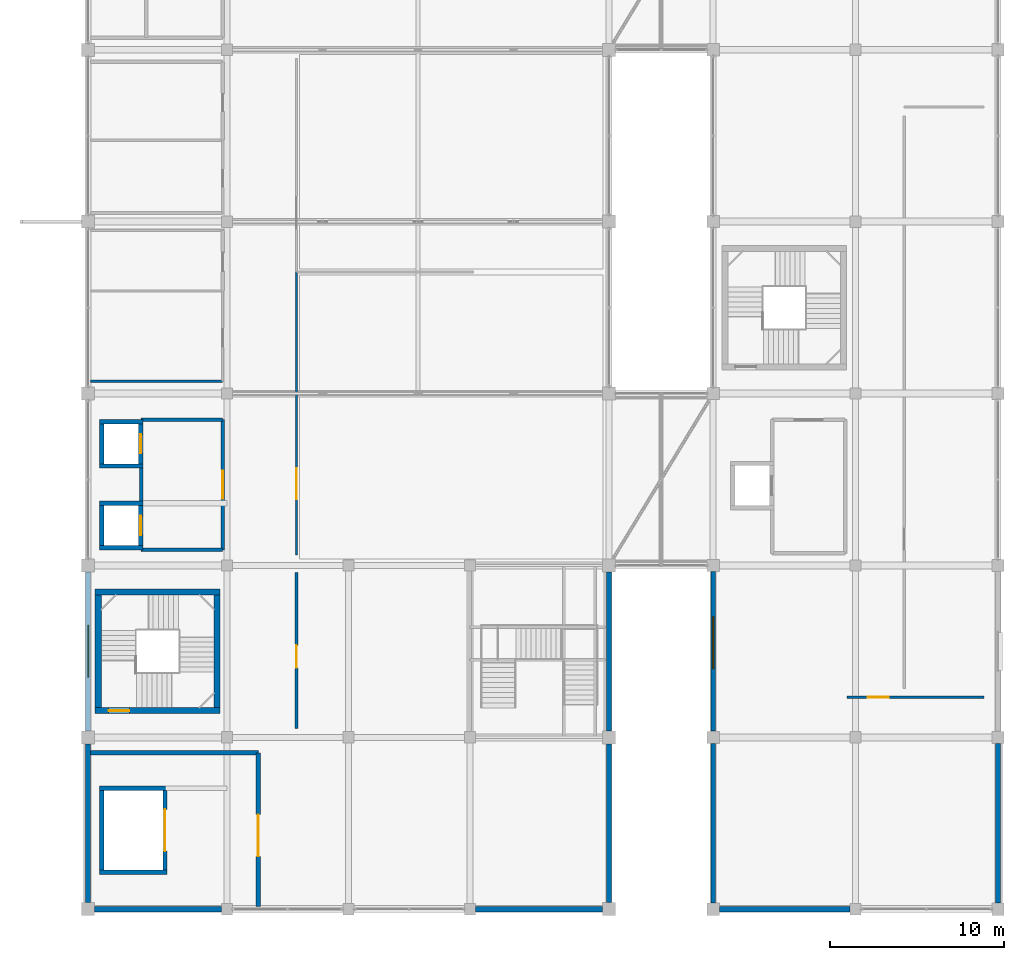
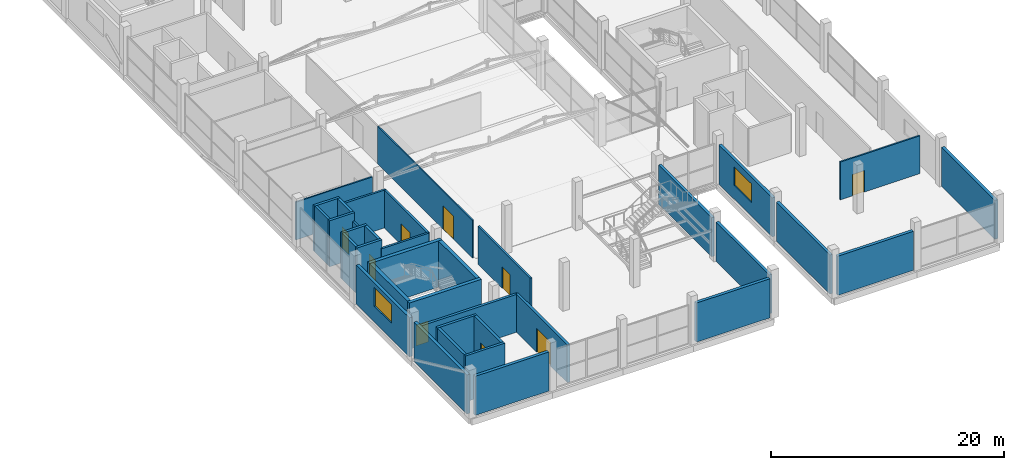
# One storey, part 53 of 67: 36 walls, 9 doors, 2 windows, 11 openings.
"""IFC4 building model written with IfcOpenShell, lengths in metres."""

from ifc_helpers import new_model, si_unit, direction, frame, frame_2d, origin, place, context, subcontext, project, spatial, rectangle, extrude, material, layer, layer_set, type_object, element, fill, save


model = new_model("IFC4")

# Units and contexts
model_context = context("Model", 3, precision=1e-05, world=origin(), true_north=direction((0.0, 1.0)))
body_context = subcontext(model_context, "Body", "Model", "MODEL_VIEW")
ifc_project = project(units=[si_unit("LENGTHUNIT", "METRE"), si_unit("AREAUNIT", "SQUARE_METRE"), si_unit("VOLUMEUNIT", "CUBIC_METRE"), si_unit("PLANEANGLEUNIT", "RADIAN"), si_unit("MASSUNIT", "GRAM", prefix="KILO")], contexts=[model_context])

# Site, building, storey
site_placement = place(None, origin())
site = spatial("IfcSite", under=ifc_project, at=site_placement, CompositionType="ELEMENT")
building_placement = place(site_placement, origin())
building = spatial("IfcBuilding", under=site, at=building_placement, Name="Sillaruma Civic Art Gallery", CompositionType="ELEMENT")
storey_placement = place(building_placement, frame((0.0, 0.0, 46.919921875)))
storey = spatial("IfcBuildingStorey", under=building, at=storey_placement, Name="L09", CompositionType="ELEMENT", Elevation=46.919921875)

# Wall, opening, door
ifc_material_1 = material(Name="Concrete H40 (40 MPa)", Category="concrete")
ifc_layer_1 = layer(ifc_material_1, 0.35009765625, Name="Concrete H40 (40 MPa)")
ifc_layer_set_1 = layer_set([ifc_layer_1], Name="Concrete H40 (40 MPa)")
wall_type_1 = type_object("IfcWallType", Name="WAL-CORE-350", PredefinedType="SHEAR", material=ifc_layer_set_1)
wall_1_placement = place(storey_placement, frame((62.409912109375, 31.235107421875, 0.0), z_axis=(0.0, 0.0, 1.0), x_axis=(1.0, 0.0, 0.0)))
wall_1 = element("IfcWall", 1, at=wall_1_placement, inside=storey, type_object=wall_type_1, Name="Stair Core Shear Wall W-CORE-350 (ST-03:L09:S)", PredefinedType="SHEAR", context=body_context, shape_type="SweptSolid", body=[
    extrude(rectangle(XDim=7.18017578125, YDim=0.35009765625, at=frame_2d((3.590087890625, 0.0))), origin(), (0.0, 0.0, 1.0), 4.85009765625),
])
opening_1_placement = place(wall_1_placement, frame((0.77001953125, 0.0, 0.0)))
opening_1 = element("IfcOpeningElement", 2, at=opening_1_placement, cuts=wall_1, Name="Opening D-STAIR", PredefinedType="OPENING", context=body_context, shape_type="SweptSolid", body=[
    extrude(rectangle(XDim=1.199951171875, YDim=2.199951171875, at=frame_2d((0.60009765625, 1.10009765625))), frame((0.0, 0.18505859375, 0.0), z_axis=(0.0, -1.0, 0.0), x_axis=(1.0, 0.0, 0.0)), (0.0, 0.0, 1.0), 0.3701171875),
])
ifc_material_2 = material(Name="Galvanised Steel ASTM A653 Gr.50", Category="steel")
door_type_1 = type_object("IfcDoorType", Name="DOR-STAIR-120", OperationType="NOTDEFINED", PredefinedType="DOOR", material=ifc_material_2)
door_1_placement = place(opening_1_placement, origin())
door_1 = element("IfcDoor", 3, at=door_1_placement, inside=storey, type_object=door_type_1, Name="Protected Stair Fire Door (ST-03:L09)", OperationType="SINGLE_SWING_LEFT", OverallHeight=2.199951171875, OverallWidth=1.199951171875, PredefinedType="DOOR", context=body_context, shape_type="SweptSolid", body=[
    extrude(rectangle(XDim=1.199951171875, YDim=2.199951171875, at=frame_2d((0.60009765625, 1.10009765625))), frame((0.0, 0.02490234375, 0.0), z_axis=(0.0, -1.0, 0.0), x_axis=(1.0, 0.0, 0.0)), (0.0, 0.0, 1.0), 0.050048828125),
])
fill(opening_1, door_1)

# Walls
wall_2_placement = place(storey_placement, frame((62.409912109375, 38.06494140625, 0.0), z_axis=(0.0, 0.0, 1.0), x_axis=(1.0, 0.0, 0.0)))
element("IfcWall", 4, at=wall_2_placement, inside=storey, type_object=wall_type_1, Name="Stair Core Shear Wall W-CORE-350 (ST-03:L09:N)", PredefinedType="SHEAR", context=body_context, shape_type="SweptSolid", body=[
    extrude(rectangle(XDim=7.18017578125, YDim=0.35009765625, at=frame_2d((3.590087890625, 0.0))), origin(), (0.0, 0.0, 1.0), 4.85009765625),
])
for number, where, z_axis, x_axis, name in (
    (5, (62.5849609375, 31.409912109375, 0.0), (0.0, 0.0, 1.0), (0.0, 1.0, 0.0), "Stair Core Shear Wall W-CORE-350 (ST-03:L09:W)"),
    (6, (69.4150390625, 31.409912109375, 0.0), (0.0, 0.0, 1.0), (0.0, 1.0, 0.0), "Stair Core Shear Wall W-CORE-350 (ST-03:L09:E)"),
):
    element("IfcWall", number, at=place(storey_placement, frame(where, z_axis=z_axis, x_axis=x_axis)), inside=storey, type_object=wall_type_1, Name=name, PredefinedType="SHEAR", context=body_context, shape_type="SweptSolid", body=[
        extrude(rectangle(XDim=6.47998046875, YDim=0.35009765625, at=frame_2d((3.239990234375, 0.0))), origin(), (0.0, 0.0, 1.0), 4.85009765625),
    ])
ifc_material_3 = material(Name="Concrete H35 (35 MPa)", Category="concrete")
ifc_layer_2 = layer(ifc_material_3, 0.159912109375, Name="Concrete backup", Category="concrete")
ifc_material_4 = material(Name="Mineral Wool Thermal Insulation", Category="insulation")
ifc_layer_3 = layer(ifc_material_4, 0.090087890625, Name="Thermal insulation", Category="insulation")
ifc_material_5 = material(Name="Anodised Zinc-Aluminium Alloy", Category="aluminium")
ifc_layer_4 = layer(ifc_material_5, 0.030029296875, Name="Rainscreen finish", Category="aluminium")
ifc_layer_set_2 = layer_set([ifc_layer_2, ifc_layer_3, ifc_layer_4], Name="W-EXT-280")
wall_type_2 = type_object("IfcWallType", Name="WAL-EXT-280", PredefinedType="SOLIDWALL", material=ifc_layer_set_2)
wall_3_placement = place(storey_placement, frame((92.0, 20.175048828125, 0.0), z_axis=(0.0, 0.0, 1.0), x_axis=(0.0, 1.0, 0.0)))
element("IfcWall", 7, at=wall_3_placement, inside=storey, type_object=wall_type_2, Name="Exterior Wall W-EXT-280 (EW-L09-WBE-1)", PredefinedType="SOLIDWALL", context=body_context, shape_type="SweptSolid", body=[
    extrude(rectangle(XDim=9.14990234375, YDim=0.280029296875, at=frame_2d((4.574951171875, 0.0))), origin(), (0.0, 0.0, 1.0), 4.10009765625),
])
wall_4_placement = place(storey_placement, frame((92.0, 30.074951171875, 0.0), z_axis=(0.0, 0.0, 1.0), x_axis=(0.0, 1.0, 0.0)))
element("IfcWall", 8, at=wall_4_placement, inside=storey, type_object=wall_type_2, Name="Exterior Wall W-EXT-280 (EW-L09-WBE-2)", PredefinedType="SOLIDWALL", context=body_context, shape_type="SweptSolid", body=[
    extrude(rectangle(XDim=9.150146484375, YDim=0.280029296875, at=frame_2d((4.5751953125, 0.0))), origin(), (0.0, 0.0, 1.0), 4.10009765625),
])
wall_5_placement = place(storey_placement, frame((98.0, 20.14990234375, 0.0), z_axis=(0.0, 0.0, 1.0), x_axis=(0.0, 1.0, 0.0)))
element("IfcWall", 9, at=wall_5_placement, inside=storey, type_object=wall_type_2, Name="Exterior Wall W-EXT-280 (EW-L09-EBW-1)", PredefinedType="SOLIDWALL", context=body_context, shape_type="SweptSolid", body=[
    extrude(rectangle(XDim=9.2001953125, YDim=0.280029296875, at=frame_2d((4.60009765625, 0.0))), origin(), (0.0, 0.0, 1.0), 4.10009765625),
])

# Wall, opening, window
wall_6_placement = place(storey_placement, frame((98.0, 30.050048828125, 0.0), z_axis=(0.0, 0.0, 1.0), x_axis=(0.0, 1.0, 0.0)))
wall_6 = element("IfcWall", 10, at=wall_6_placement, inside=storey, type_object=wall_type_2, Name="Exterior Wall W-EXT-280 (EW-L09-EBW-2)", PredefinedType="SOLIDWALL", context=body_context, shape_type="SweptSolid", body=[
    extrude(rectangle(XDim=9.199951171875, YDim=0.280029296875, at=frame_2d((4.60009765625, 0.0))), origin(), (0.0, 0.0, 1.0), 4.10009765625),
])
opening_2_placement = place(wall_6_placement, frame((3.60009765625, 0.0, 1.449951171875)))
opening_2 = element("IfcOpeningElement", 11, at=opening_2_placement, cuts=wall_6, Name="Opening WN-10", PredefinedType="OPENING", context=body_context, shape_type="SweptSolid", body=[
    extrude(rectangle(XDim=3.0, YDim=1.949951171875, at=frame_2d((1.5, 0.97509765625))), frame((0.0, 0.14990234375, 0.0), z_axis=(0.0, -1.0, 0.0), x_axis=(1.0, 0.0, 0.0)), (0.0, 0.0, 1.0), 0.300048828125),
])
ifc_material_6 = material(Name="Thermally Broken Extruded Aluminium 6063-T6", Category="aluminium")
window_type = type_object("IfcWindowType", Name="WIN-W10", PartitioningType="SINGLE_PANEL", PredefinedType="WINDOW", material=ifc_material_6)
window_1_placement = place(opening_2_placement, origin())
window_1 = element("IfcWindow", 12, at=window_1_placement, inside=storey, type_object=window_type, Name="Window WN-10 (EW-L09-EBW-2-1)", OverallHeight=1.949951171875, OverallWidth=3.0, PartitioningType="SINGLE_PANEL", PredefinedType="WINDOW", context=body_context, shape_type="SweptSolid", body=[
    extrude(rectangle(XDim=3.0, YDim=1.949951171875, at=frame_2d((1.5, 0.97509765625))), frame((0.0, 0.030029296875, 0.0), z_axis=(0.0, -1.0, 0.0), x_axis=(1.0, 0.0, 0.0)), (0.0, 0.0, 1.0), 0.06005859375),
])
fill(opening_2, window_1)

# Walls
ifc_layer_5 = layer(ifc_material_3, 0.169921875, Name="Concrete backup", Category="concrete")
ifc_layer_6 = layer(ifc_material_4, 0.090087890625, Name="Thermal insulation", Category="insulation")
ifc_layer_7 = layer(ifc_material_5, 0.030029296875, Name="Rainscreen finish", Category="aluminium")
ifc_layer_set_3 = layer_set([ifc_layer_5, ifc_layer_6, ifc_layer_7], Name="W-EXT-290")
wall_type_3 = type_object("IfcWallType", Name="WAL-EXT-290", PredefinedType="SOLIDWALL", material=ifc_layer_set_3)
wall_7_placement = place(storey_placement, frame((62.0, 20.175048828125, 0.0), z_axis=(0.0, 0.0, 1.0), x_axis=(0.0, 1.0, 0.0)))
element("IfcWall", 13, at=wall_7_placement, inside=storey, type_object=wall_type_3, Name="Exterior Wall W-EXT-290 (EW-L09-WBW-1)", PredefinedType="SOLIDWALL", context=body_context, shape_type="SweptSolid", body=[
    extrude(rectangle(XDim=9.14990234375, YDim=0.2900390625, at=frame_2d((4.574951171875, 0.0))), origin(), (0.0, 0.0, 1.0), 4.10009765625),
])
wall_8_placement = place(storey_placement, frame((114.39990234375, 20.14990234375, 0.0), z_axis=(0.0, 0.0, 1.0), x_axis=(0.0, 1.0, 0.0)))
element("IfcWall", 14, at=wall_8_placement, inside=storey, type_object=wall_type_3, Name="Exterior Wall W-EXT-290 (EW-L09-EBE-1)", PredefinedType="SOLIDWALL", context=body_context, shape_type="SweptSolid", body=[
    extrude(rectangle(XDim=9.2001953125, YDim=0.2900390625, at=frame_2d((4.60009765625, 0.0))), origin(), (0.0, 0.0, 1.0), 4.10009765625),
])

# Wall, opening, window
ifc_material_7 = material(Name="Precast Concrete H35 (35 MPa)", Category="concrete")
ifc_layer_8 = layer(ifc_material_7, 0.179931640625, Name="Precast backup", Category="concrete")
ifc_layer_9 = layer(ifc_material_4, 0.090087890625, Name="Thermal insulation", Category="insulation")
ifc_material_8 = material(Name="Comanche Granitic Ashlar Stone", Category="masonry")
ifc_layer_10 = layer(ifc_material_8, 0.030029296875, Name="Rainscreen cladding", Category="masonry")
ifc_layer_set_4 = layer_set([ifc_layer_8, ifc_layer_9, ifc_layer_10], Name="W-EXT-300")
wall_type_4 = type_object("IfcWallType", Name="WAL-EXT-300", PredefinedType="SOLIDWALL", material=ifc_layer_set_4)
wall_9_placement = place(storey_placement, frame((62.0, 30.074951171875, 0.0), z_axis=(0.0, 0.0, 1.0), x_axis=(0.0, 1.0, 0.0)))
wall_9 = element("IfcWall", 15, at=wall_9_placement, inside=storey, type_object=wall_type_4, Name="Exterior Wall W-EXT-300 (EW-L09-WBW-2)", PredefinedType="SOLIDWALL", context=body_context, shape_type="SweptSolid", body=[
    extrude(rectangle(XDim=9.150146484375, YDim=0.300048828125, at=frame_2d((4.5751953125, 0.0))), origin(), (0.0, 0.0, 1.0), 4.10009765625),
])
opening_3_placement = place(wall_9_placement, frame((3.074951171875, 0.0, 1.64990234375)))
opening_3 = element("IfcOpeningElement", 16, at=opening_3_placement, cuts=wall_9, Name="Opening WN-10", PredefinedType="OPENING", context=body_context, shape_type="SweptSolid", body=[
    extrude(rectangle(XDim=3.0, YDim=1.949951171875, at=frame_2d((1.5, 0.97509765625))), frame((0.0, 0.159912109375, 0.0), z_axis=(0.0, -1.0, 0.0), x_axis=(1.0, 0.0, 0.0)), (0.0, 0.0, 1.0), 0.320068359375),
])
window_2_placement = place(opening_3_placement, origin())
window_2 = element("IfcWindow", 17, at=window_2_placement, inside=storey, type_object=window_type, Name="Window WN-10 (EW-L09-WBW-2-1)", OverallHeight=1.949951171875, OverallWidth=3.0, PartitioningType="SINGLE_PANEL", PredefinedType="WINDOW", context=body_context, shape_type="SweptSolid", body=[
    extrude(rectangle(XDim=3.0, YDim=1.949951171875, at=frame_2d((1.5, 0.97509765625))), frame((0.0, 0.030029296875, 0.0), z_axis=(0.0, -1.0, 0.0), x_axis=(1.0, 0.0, 0.0)), (0.0, 0.0, 1.0), 0.06005859375),
])
fill(opening_3, window_2)

# Walls
for number, where, z_axis, x_axis, name in (
    (18, (62.375, 19.800048828125, 0.0), (0.0, 0.0, 1.0), (1.0, 0.0, 0.0), "Exterior Wall W-EXT-300 (EW-L09-WBS-1)"),
    (19, (84.324951171875, 19.800048828125, 0.0), (0.0, 0.0, 1.0), (1.0, 0.0, 0.0), "Exterior Wall W-EXT-300 (EW-L09-WBS-4)"),
):
    element("IfcWall", number, at=place(storey_placement, frame(where, z_axis=z_axis, x_axis=x_axis)), inside=storey, type_object=wall_type_4, Name=name, PredefinedType="SOLIDWALL", context=body_context, shape_type="SweptSolid", body=[
        extrude(rectangle(XDim=7.300048828125, YDim=0.300048828125, at=frame_2d((3.64990234375, 0.0))), origin(), (0.0, 0.0, 1.0), 4.10009765625),
    ])
wall_10_placement = place(storey_placement, frame((98.35009765625, 19.800048828125, 0.0), z_axis=(0.0, 0.0, 1.0), x_axis=(1.0, 0.0, 0.0)))
element("IfcWall", 20, at=wall_10_placement, inside=storey, type_object=wall_type_4, Name="Exterior Wall W-EXT-300 (EW-L09-EBS-1)", PredefinedType="SOLIDWALL", context=body_context, shape_type="SweptSolid", body=[
    extrude(rectangle(XDim=7.52490234375, YDim=0.300048828125, at=frame_2d((3.762451171875, 0.0))), origin(), (0.0, 0.0, 1.0), 4.10009765625),
])
ifc_material_9 = material(Name="Concrete Masonry Unit Grade M15", Category="masonry")
ifc_layer_11 = layer(ifc_material_9, 0.199951171875, Name="Concrete Masonry Unit Grade M15")
ifc_layer_set_5 = layer_set([ifc_layer_11], Name="Concrete Masonry Unit Grade M15")
wall_type_5 = type_object("IfcWallType", Name="WAL-LOBBY-200", PredefinedType="SOLIDWALL", material=ifc_layer_set_5)
for number, where, z_axis, x_axis, name in (
    (21, (65.050048828125, 40.5, 0.0), (0.0, 0.0, 1.0), (1.0, 0.0, 0.0), "Interior Wall W-LOBBY-200 (L09-LLW)"),
    (22, (65.050048828125, 48.0, 0.0), (0.0, 0.0, 1.0), (1.0, 0.0, 0.0), "Interior Wall W-LOBBY-200 (L09-LLW)"),
):
    element("IfcWall", number, at=place(storey_placement, frame(where, z_axis=z_axis, x_axis=x_axis)), inside=storey, type_object=wall_type_5, Name=name, PredefinedType="SOLIDWALL", context=body_context, shape_type="SweptSolid", body=[
        extrude(rectangle(XDim=4.699951171875, YDim=0.199951171875, at=frame_2d((2.35009765625, 0.0))), origin(), (0.0, 0.0, 1.0), 3.969970703125),
    ])
wall_11_placement = place(storey_placement, frame((65.050048828125, 43.300048828125, 0.0), z_axis=(0.0, 0.0, 1.0), x_axis=(0.0, 1.0, 0.0)))
element("IfcWall", 23, at=wall_11_placement, inside=storey, type_object=wall_type_5, Name="Interior Wall W-LOBBY-200 (L09-LLW)", PredefinedType="SOLIDWALL", context=body_context, shape_type="SweptSolid", body=[
    extrude(rectangle(XDim=1.89990234375, YDim=0.199951171875, at=frame_2d((0.949951171875, 0.0))), origin(), (0.0, 0.0, 1.0), 3.969970703125),
])

# Wall, opening, door
wall_12_placement = place(storey_placement, frame((69.75, 40.5, 0.0), z_axis=(0.0, 0.0, 1.0), x_axis=(0.0, 1.0, 0.0)))
wall_12 = element("IfcWall", 24, at=wall_12_placement, inside=storey, type_object=wall_type_5, Name="Interior Wall W-LOBBY-200 (L09-LLW)", PredefinedType="SOLIDWALL", context=body_context, shape_type="SweptSolid", body=[
    extrude(rectangle(XDim=7.5, YDim=0.199951171875, at=frame_2d((3.75, 0.0))), origin(), (0.0, 0.0, 1.0), 3.969970703125),
])
opening_4_placement = place(wall_12_placement, frame((2.949951171875, 0.0, 0.0)))
opening_4 = element("IfcOpeningElement", 25, at=opening_4_placement, cuts=wall_12, Name="Opening D-LOBBY", PredefinedType="OPENING", context=body_context, shape_type="SweptSolid", body=[
    extrude(rectangle(XDim=1.60009765625, YDim=2.199951171875, at=frame_2d((0.800048828125, 1.10009765625))), frame((0.0, 0.10986328125, 0.0), z_axis=(0.0, -1.0, 0.0), x_axis=(1.0, 0.0, 0.0)), (0.0, 0.0, 1.0), 0.219970703125),
])
door_type_2 = type_object("IfcDoorType", Name="DOR-LOBBY-160", OperationType="NOTDEFINED", PredefinedType="DOOR", material=ifc_material_6)
door_2_placement = place(opening_4_placement, origin())
door_2 = element("IfcDoor", 26, at=door_2_placement, inside=storey, type_object=door_type_2, Name="West Lift Lobby Door (D-LOBBY)", OperationType="DOUBLE_DOOR_SINGLE_SWING", OverallHeight=2.199951171875, OverallWidth=1.60009765625, PredefinedType="DOOR", context=body_context, shape_type="SweptSolid", body=[
    extrude(rectangle(XDim=1.60009765625, YDim=2.199951171875, at=frame_2d((0.800048828125, 1.10009765625))), frame((0.0, 0.02490234375, 0.0), z_axis=(0.0, -1.0, 0.0), x_axis=(1.0, 0.0, 0.0)), (0.0, 0.0, 1.0), 0.050048828125),
])
fill(opening_4, door_2)

ifc_material_10 = material(Name="Gypsum Acoustic Board", Category="gypsum")
ifc_layer_12 = layer(ifc_material_10, 0.02490234375, Name="Finish board", Category="gypsum")
ifc_layer_13 = layer(ifc_material_4, 0.070068359375, Name="Acoustic core", Category="insulation")
ifc_material_11 = material(Name="Andean Oak Timber", Category="wood")
ifc_layer_14 = layer(ifc_material_11, 0.02490234375, Name="Gallery lining", Category="wood")
ifc_layer_set_6 = layer_set([ifc_layer_12, ifc_layer_13, ifc_layer_14], Name="W-PT-120")
wall_type_6 = type_object("IfcWallType", Name="WAL-PART-120", PredefinedType="PARTITIONING", material=ifc_layer_set_6)
wall_13_placement = place(storey_placement, frame((74.0, 40.199951171875, 0.0), z_axis=(0.0, 0.0, 1.0), x_axis=(0.0, 1.0, 0.0)))
wall_13 = element("IfcWall", 27, at=wall_13_placement, inside=storey, type_object=wall_type_6, Name="Interior Wall W-PT-120 (L09-GALW1)", PredefinedType="PARTITIONING", context=body_context, shape_type="SweptSolid", body=[
    extrude(rectangle(XDim=16.300048828125, YDim=0.1201171875, at=frame_2d((8.14990234375, 0.0))), origin(), (0.0, 0.0, 1.0), 3.969970703125),
])
opening_5_placement = place(wall_13_placement, frame((3.199951171875, 0.0, 0.0)))
opening_5 = element("IfcOpeningElement", 28, at=opening_5_placement, cuts=wall_13, Name="Opening D-GAL18", PredefinedType="OPENING", context=body_context, shape_type="SweptSolid", body=[
    extrude(rectangle(XDim=1.800048828125, YDim=2.449951171875, at=frame_2d((0.89990234375, 1.22509765625))), frame((0.0, 0.070068359375, 0.0), z_axis=(0.0, -1.0, 0.0), x_axis=(1.0, 0.0, 0.0)), (0.0, 0.0, 1.0), 0.14013671875),
])
door_type_3 = type_object("IfcDoorType", Name="DOR-GAL-180", OperationType="NOTDEFINED", PredefinedType="DOOR", material=ifc_material_11)
door_3_placement = place(opening_5_placement, origin())
door_3 = element("IfcDoor", 29, at=door_3_placement, inside=storey, type_object=door_type_3, Name="Paired Wing South Gallery (L09) Door (D-GAL18)", OperationType="DOUBLE_DOOR_SINGLE_SWING", OverallHeight=2.449951171875, OverallWidth=1.800048828125, PredefinedType="DOOR", context=body_context, shape_type="SweptSolid", body=[
    extrude(rectangle(XDim=1.800048828125, YDim=2.449951171875, at=frame_2d((0.89990234375, 1.22509765625))), frame((0.0, 0.02490234375, 0.0), z_axis=(0.0, -1.0, 0.0), x_axis=(1.0, 0.0, 0.0)), (0.0, 0.0, 1.0), 0.050048828125),
])
fill(opening_5, door_3)

# Wall
ifc_layer_15 = layer(ifc_material_10, 0.02490234375, Name="Finish board", Category="gypsum")
ifc_layer_16 = layer(ifc_material_4, 0.090087890625, Name="Acoustic core", Category="insulation")
ifc_layer_17 = layer(ifc_material_11, 0.02490234375, Name="Gallery lining", Category="wood")
ifc_layer_set_7 = layer_set([ifc_layer_15, ifc_layer_16, ifc_layer_17], Name="W-PT-140")
wall_type_7 = type_object("IfcWallType", Name="WAL-PART-140", PredefinedType="PARTITIONING", material=ifc_layer_set_7)
wall_14_placement = place(storey_placement, frame((62.14990234375, 50.199951171875, 0.0), z_axis=(0.0, 0.0, 1.0), x_axis=(1.0, 0.0, 0.0)))
element("IfcWall", 30, at=wall_14_placement, inside=storey, type_object=wall_type_7, Name="Interior Wall W-PT-140 (L09-WC1)", PredefinedType="PARTITIONING", context=body_context, shape_type="SweptSolid", body=[
    extrude(rectangle(XDim=7.60009765625, YDim=0.139892578125, at=frame_2d((3.800048828125, 0.0))), origin(), (0.0, 0.0, 1.0), 3.969970703125),
])

# Wall, opening, door
ifc_layer_18 = layer(ifc_material_10, 0.02490234375, Name="Finish board", Category="gypsum")
ifc_layer_19 = layer(ifc_material_4, 0.10009765625, Name="Acoustic core", Category="insulation")
ifc_layer_20 = layer(ifc_material_11, 0.02490234375, Name="Gallery lining", Category="wood")
ifc_layer_set_8 = layer_set([ifc_layer_18, ifc_layer_19, ifc_layer_20], Name="W-PT-150")
wall_type_8 = type_object("IfcWallType", Name="WAL-PART-150", PredefinedType="PARTITIONING", material=ifc_layer_set_8)
wall_15_placement = place(storey_placement, frame((105.699951171875, 32.0, 0.0), z_axis=(0.0, 0.0, 1.0), x_axis=(1.0, 0.0, 0.0)))
wall_15 = element("IfcWall", 31, at=wall_15_placement, inside=storey, type_object=wall_type_8, Name="Interior Wall W-PT-150 (L09-STDE1)", PredefinedType="PARTITIONING", context=body_context, shape_type="SweptSolid", body=[
    extrude(rectangle(XDim=7.900146484375, YDim=0.14990234375, at=frame_2d((3.9501953125, 0.0))), origin(), (0.0, 0.0, 1.0), 3.969970703125),
])
opening_6_placement = place(wall_15_placement, frame((1.199951171875, 0.0, 0.0)))
opening_6 = element("IfcOpeningElement", 32, at=opening_6_placement, cuts=wall_15, Name="Opening D-STD12", PredefinedType="OPENING", context=body_context, shape_type="SweptSolid", body=[
    extrude(rectangle(XDim=1.199951171875, YDim=2.25, at=frame_2d((0.60009765625, 1.125))), frame((0.0, 0.0849609375, 0.0), z_axis=(0.0, -1.0, 0.0), x_axis=(1.0, 0.0, 0.0)), (0.0, 0.0, 1.0), 0.169921875),
])
door_type_4 = type_object("IfcDoorType", Name="DOR-STD-120", OperationType="NOTDEFINED", PredefinedType="DOOR", material=ifc_material_11)
door_4_placement = place(opening_6_placement, origin())
door_4 = element("IfcDoor", 33, at=door_4_placement, inside=storey, type_object=door_type_4, Name="East Wing South Artist Studio (L09) Door (D-STD12)", OperationType="SINGLE_SWING_LEFT", OverallHeight=2.25, OverallWidth=1.199951171875, PredefinedType="DOOR", context=body_context, shape_type="SweptSolid", body=[
    extrude(rectangle(XDim=1.199951171875, YDim=2.25, at=frame_2d((0.60009765625, 1.125))), frame((0.0, 0.02490234375, 0.0), z_axis=(0.0, -1.0, 0.0), x_axis=(1.0, 0.0, 0.0)), (0.0, 0.0, 1.0), 0.050048828125),
])
fill(opening_6, door_4)

ifc_layer_21 = layer(ifc_material_10, 0.02490234375, Name="Finish board", Category="gypsum")
ifc_layer_22 = layer(ifc_material_4, 0.1298828125, Name="Acoustic core", Category="insulation")
ifc_layer_23 = layer(ifc_material_11, 0.02490234375, Name="Gallery lining", Category="wood")
ifc_layer_set_9 = layer_set([ifc_layer_21, ifc_layer_22, ifc_layer_23], Name="W-PT-180")
wall_type_9 = type_object("IfcWallType", Name="WAL-PART-180", PredefinedType="PARTITIONING", material=ifc_layer_set_9)
wall_16_placement = place(storey_placement, frame((74.0, 30.199951171875, 0.0), z_axis=(0.0, 0.0, 1.0), x_axis=(0.0, 1.0, 0.0)))
wall_16 = element("IfcWall", 34, at=wall_16_placement, inside=storey, type_object=wall_type_9, Name="Interior Wall W-PT-180 (L09-STDW0)", PredefinedType="PARTITIONING", context=body_context, shape_type="SweptSolid", body=[
    extrude(rectangle(XDim=9.0, YDim=0.179931640625, at=frame_2d((4.5, 0.0))), origin(), (0.0, 0.0, 1.0), 3.969970703125),
])
opening_7_placement = place(wall_16_placement, frame((3.5, 0.0, 0.0)))
opening_7 = element("IfcOpeningElement", 35, at=opening_7_placement, cuts=wall_16, Name="Opening D-STD13", PredefinedType="OPENING", context=body_context, shape_type="SweptSolid", body=[
    extrude(rectangle(XDim=1.300048828125, YDim=2.25, at=frame_2d((0.64990234375, 1.125))), frame((0.0, 0.099853515625, 0.0), z_axis=(0.0, -1.0, 0.0), x_axis=(1.0, 0.0, 0.0)), (0.0, 0.0, 1.0), 0.199951171875),
])
door_type_5 = type_object("IfcDoorType", Name="DOR-STD-130", OperationType="NOTDEFINED", PredefinedType="DOOR", material=ifc_material_11)
door_5_placement = place(opening_7_placement, origin())
door_5 = element("IfcDoor", 36, at=door_5_placement, inside=storey, type_object=door_type_5, Name="West Wing South Artist Studio (L09) Door (D-STD13)", OperationType="SINGLE_SWING_LEFT", OverallHeight=2.25, OverallWidth=1.300048828125, PredefinedType="DOOR", context=body_context, shape_type="SweptSolid", body=[
    extrude(rectangle(XDim=1.300048828125, YDim=2.25, at=frame_2d((0.64990234375, 1.125))), frame((0.0, 0.02490234375, 0.0), z_axis=(0.0, -1.0, 0.0), x_axis=(1.0, 0.0, 0.0)), (0.0, 0.0, 1.0), 0.050048828125),
])
fill(opening_7, door_5)

# Walls
ifc_layer_24 = layer(ifc_material_1, 0.25, Name="Concrete H40 (40 MPa)")
ifc_layer_set_10 = layer_set([ifc_layer_24], Name="Concrete H40 (40 MPa)")
wall_type_10 = type_object("IfcWallType", Name="WAL-SHAFT-250", PredefinedType="SOLIDWALL", material=ifc_layer_set_10)
for number, where, z_axis, x_axis, name in (
    (37, (62.64990234375, 40.625, 0.0), (0.0, 0.0, 1.0), (1.0, 0.0, 0.0), "Lift Shaft Wall W-SHAFT-250 (PL-01:L09:S)"),
    (38, (62.64990234375, 43.175048828125, 0.0), (0.0, 0.0, 1.0), (1.0, 0.0, 0.0), "Lift Shaft Wall W-SHAFT-250 (PL-01:L09:N)"),
):
    element("IfcWall", number, at=place(storey_placement, frame(where, z_axis=z_axis, x_axis=x_axis)), inside=storey, type_object=wall_type_10, Name=name, PredefinedType="SOLIDWALL", context=body_context, shape_type="SweptSolid", body=[
        extrude(rectangle(XDim=2.5, YDim=0.25, at=frame_2d((1.25, 0.0))), origin(), (0.0, 0.0, 1.0), 4.830078125),
    ])
wall_17_placement = place(storey_placement, frame((62.77490234375, 40.75, 0.0), z_axis=(0.0, 0.0, 1.0), x_axis=(0.0, 1.0, 0.0)))
element("IfcWall", 39, at=wall_17_placement, inside=storey, type_object=wall_type_10, Name="Lift Shaft Wall W-SHAFT-250 (PL-01:L09:W)", PredefinedType="SOLIDWALL", context=body_context, shape_type="SweptSolid", body=[
    extrude(rectangle(XDim=2.300048828125, YDim=0.25, at=frame_2d((1.14990234375, 0.0))), origin(), (0.0, 0.0, 1.0), 4.830078125),
])

# Wall, opening, door
wall_18_placement = place(storey_placement, frame((65.02490234375, 40.75, 0.0), z_axis=(0.0, 0.0, 1.0), x_axis=(0.0, 1.0, 0.0)))
wall_18 = element("IfcWall", 40, at=wall_18_placement, inside=storey, type_object=wall_type_10, Name="Lift Shaft Wall W-SHAFT-250 (PL-01:L09:E)", PredefinedType="SOLIDWALL", context=body_context, shape_type="SweptSolid", body=[
    extrude(rectangle(XDim=2.300048828125, YDim=0.25, at=frame_2d((1.14990234375, 0.0))), origin(), (0.0, 0.0, 1.0), 4.830078125),
])
opening_8_placement = place(wall_18_placement, frame((0.60009765625, 0.0, 0.0)))
opening_8 = element("IfcOpeningElement", 41, at=opening_8_placement, cuts=wall_18, Name="Opening LD-01", PredefinedType="OPENING", context=body_context, shape_type="SweptSolid", body=[
    extrude(rectangle(XDim=1.10009765625, YDim=2.199951171875, at=frame_2d((0.550048828125, 1.10009765625))), frame((0.0, 0.135009765625, 0.0), z_axis=(0.0, -1.0, 0.0), x_axis=(1.0, 0.0, 0.0)), (0.0, 0.0, 1.0), 0.27001953125),
])
door_type_6 = type_object("IfcDoorType", Name="DOR-LD-01", OperationType="NOTDEFINED", PredefinedType="DOOR", material=ifc_material_2)
door_6_placement = place(opening_8_placement, origin())
door_6 = element("IfcDoor", 42, at=door_6_placement, inside=storey, type_object=door_type_6, Name="Lift Sliding Landing Door LD-01 (PL-01:L09)", OperationType="DOUBLE_DOOR_SLIDING", OverallHeight=2.199951171875, OverallWidth=1.10009765625, PredefinedType="DOOR", context=body_context, shape_type="SweptSolid", body=[
    extrude(rectangle(XDim=1.10009765625, YDim=2.199951171875, at=frame_2d((0.550048828125, 1.10009765625))), frame((0.0, 0.02490234375, 0.0), z_axis=(0.0, -1.0, 0.0), x_axis=(1.0, 0.0, 0.0)), (0.0, 0.0, 1.0), 0.050048828125),
])
fill(opening_8, door_6)

# Walls
for number, where, z_axis, x_axis, name in (
    (43, (62.64990234375, 45.324951171875, 0.0), (0.0, 0.0, 1.0), (1.0, 0.0, 0.0), "Lift Shaft Wall W-SHAFT-250 (PL-02:L09:S)"),
    (44, (62.64990234375, 47.875, 0.0), (0.0, 0.0, 1.0), (1.0, 0.0, 0.0), "Lift Shaft Wall W-SHAFT-250 (PL-02:L09:N)"),
):
    element("IfcWall", number, at=place(storey_placement, frame(where, z_axis=z_axis, x_axis=x_axis)), inside=storey, type_object=wall_type_10, Name=name, PredefinedType="SOLIDWALL", context=body_context, shape_type="SweptSolid", body=[
        extrude(rectangle(XDim=2.5, YDim=0.25, at=frame_2d((1.25, 0.0))), origin(), (0.0, 0.0, 1.0), 4.830078125),
    ])
wall_19_placement = place(storey_placement, frame((62.77490234375, 45.449951171875, 0.0), z_axis=(0.0, 0.0, 1.0), x_axis=(0.0, 1.0, 0.0)))
element("IfcWall", 45, at=wall_19_placement, inside=storey, type_object=wall_type_10, Name="Lift Shaft Wall W-SHAFT-250 (PL-02:L09:W)", PredefinedType="SOLIDWALL", context=body_context, shape_type="SweptSolid", body=[
    extrude(rectangle(XDim=2.300048828125, YDim=0.25, at=frame_2d((1.14990234375, 0.0))), origin(), (0.0, 0.0, 1.0), 4.830078125),
])

# Wall, opening, door
wall_20_placement = place(storey_placement, frame((65.02490234375, 45.449951171875, 0.0), z_axis=(0.0, 0.0, 1.0), x_axis=(0.0, 1.0, 0.0)))
wall_20 = element("IfcWall", 46, at=wall_20_placement, inside=storey, type_object=wall_type_10, Name="Lift Shaft Wall W-SHAFT-250 (PL-02:L09:E)", PredefinedType="SOLIDWALL", context=body_context, shape_type="SweptSolid", body=[
    extrude(rectangle(XDim=2.300048828125, YDim=0.25, at=frame_2d((1.14990234375, 0.0))), origin(), (0.0, 0.0, 1.0), 4.830078125),
])
opening_9_placement = place(wall_20_placement, frame((0.60009765625, 0.0, 0.0)))
opening_9 = element("IfcOpeningElement", 47, at=opening_9_placement, cuts=wall_20, Name="Opening LD-01", PredefinedType="OPENING", context=body_context, shape_type="SweptSolid", body=[
    extrude(rectangle(XDim=1.10009765625, YDim=2.199951171875, at=frame_2d((0.550048828125, 1.10009765625))), frame((0.0, 0.135009765625, 0.0), z_axis=(0.0, -1.0, 0.0), x_axis=(1.0, 0.0, 0.0)), (0.0, 0.0, 1.0), 0.27001953125),
])
door_7_placement = place(opening_9_placement, origin())
door_7 = element("IfcDoor", 48, at=door_7_placement, inside=storey, type_object=door_type_6, Name="Lift Sliding Landing Door LD-01 (PL-02:L09)", OperationType="DOUBLE_DOOR_SLIDING", OverallHeight=2.199951171875, OverallWidth=1.10009765625, PredefinedType="DOOR", context=body_context, shape_type="SweptSolid", body=[
    extrude(rectangle(XDim=1.10009765625, YDim=2.199951171875, at=frame_2d((0.550048828125, 1.10009765625))), frame((0.0, 0.02490234375, 0.0), z_axis=(0.0, -1.0, 0.0), x_axis=(1.0, 0.0, 0.0)), (0.0, 0.0, 1.0), 0.050048828125),
])
fill(opening_9, door_7)

# Walls
for number, where, z_axis, x_axis, name in (
    (49, (62.64990234375, 21.925048828125, 0.0), (0.0, 0.0, 1.0), (1.0, 0.0, 0.0), "Lift Shaft Wall W-SHAFT-250 (GL-01:L09:S)"),
    (50, (62.64990234375, 26.77490234375, 0.0), (0.0, 0.0, 1.0), (1.0, 0.0, 0.0), "Lift Shaft Wall W-SHAFT-250 (GL-01:L09:N)"),
):
    element("IfcWall", number, at=place(storey_placement, frame(where, z_axis=z_axis, x_axis=x_axis)), inside=storey, type_object=wall_type_10, Name=name, PredefinedType="SOLIDWALL", context=body_context, shape_type="SweptSolid", body=[
        extrude(rectangle(XDim=3.900146484375, YDim=0.25, at=frame_2d((1.9501953125, 0.0))), origin(), (0.0, 0.0, 1.0), 4.830078125),
    ])
wall_21_placement = place(storey_placement, frame((62.77490234375, 22.050048828125, 0.0), z_axis=(0.0, 0.0, 1.0), x_axis=(0.0, 1.0, 0.0)))
element("IfcWall", 51, at=wall_21_placement, inside=storey, type_object=wall_type_10, Name="Lift Shaft Wall W-SHAFT-250 (GL-01:L09:W)", PredefinedType="SOLIDWALL", context=body_context, shape_type="SweptSolid", body=[
    extrude(rectangle(XDim=4.599853515625, YDim=0.25, at=frame_2d((2.2998046875, 0.0))), origin(), (0.0, 0.0, 1.0), 4.830078125),
])

# Wall, opening, door
wall_22_placement = place(storey_placement, frame((66.425048828125, 22.050048828125, 0.0), z_axis=(0.0, 0.0, 1.0), x_axis=(0.0, 1.0, 0.0)))
wall_22 = element("IfcWall", 52, at=wall_22_placement, inside=storey, type_object=wall_type_10, Name="Lift Shaft Wall W-SHAFT-250 (GL-01:L09:E)", PredefinedType="SOLIDWALL", context=body_context, shape_type="SweptSolid", body=[
    extrude(rectangle(XDim=4.599853515625, YDim=0.25, at=frame_2d((2.2998046875, 0.0))), origin(), (0.0, 0.0, 1.0), 4.830078125),
])
opening_10_placement = place(wall_22_placement, frame((1.10009765625, 0.0, 0.0)))
opening_10 = element("IfcOpeningElement", 53, at=opening_10_placement, cuts=wall_22, Name="Opening LD-03", PredefinedType="OPENING", context=body_context, shape_type="SweptSolid", body=[
    extrude(rectangle(XDim=2.39990234375, YDim=2.64990234375, at=frame_2d((1.199951171875, 1.324951171875))), frame((0.0, 0.135009765625, 0.0), z_axis=(0.0, -1.0, 0.0), x_axis=(1.0, 0.0, 0.0)), (0.0, 0.0, 1.0), 0.27001953125),
])
door_type_7 = type_object("IfcDoorType", Name="DOR-LD-03", OperationType="NOTDEFINED", PredefinedType="DOOR", material=ifc_material_2)
door_8_placement = place(opening_10_placement, origin())
door_8 = element("IfcDoor", 54, at=door_8_placement, inside=storey, type_object=door_type_7, Name="Lift Sliding Landing Door LD-03 (GL-01:L09)", OperationType="DOUBLE_DOOR_SLIDING", OverallHeight=2.64990234375, OverallWidth=2.39990234375, PredefinedType="DOOR", context=body_context, shape_type="SweptSolid", body=[
    extrude(rectangle(XDim=2.39990234375, YDim=2.64990234375, at=frame_2d((1.199951171875, 1.324951171875))), frame((0.0, 0.02490234375, 0.0), z_axis=(0.0, -1.0, 0.0), x_axis=(1.0, 0.0, 0.0)), (0.0, 0.0, 1.0), 0.050048828125),
])
fill(opening_10, door_8)

# Wall
ifc_layer_25 = layer(ifc_material_9, 0.2548828125, Name="Concrete Masonry Unit Grade M15")
ifc_layer_set_11 = layer_set([ifc_layer_25], Name="Concrete Masonry Unit Grade M15")
wall_type_11 = type_object("IfcWallType", Name="WAL-STORE-250", PredefinedType="SOLIDWALL", material=ifc_layer_set_11)
wall_23_placement = place(storey_placement, frame((62.14990234375, 28.800048828125, 0.0), z_axis=(0.0, 0.0, 1.0), x_axis=(1.0, 0.0, 0.0)))
element("IfcWall", 55, at=wall_23_placement, inside=storey, type_object=wall_type_11, Name="Interior Wall W-STORE-250 (L09-AIR)", PredefinedType="SOLIDWALL", context=body_context, shape_type="SweptSolid", body=[
    extrude(rectangle(XDim=9.650146484375, YDim=0.2548828125, at=frame_2d((4.8251953125, 0.0))), origin(), (0.0, 0.0, 1.0), 3.969970703125),
])

# Wall, opening, door
wall_24_placement = place(storey_placement, frame((71.800048828125, 19.949951171875, 0.0), z_axis=(0.0, 0.0, 1.0), x_axis=(0.0, 1.0, 0.0)))
wall_24 = element("IfcWall", 56, at=wall_24_placement, inside=storey, type_object=wall_type_11, Name="Interior Wall W-STORE-250 (L09-AIR)", PredefinedType="SOLIDWALL", context=body_context, shape_type="SweptSolid", body=[
    extrude(rectangle(XDim=8.85009765625, YDim=0.2548828125, at=frame_2d((4.425048828125, 0.0))), origin(), (0.0, 0.0, 1.0), 3.969970703125),
])
opening_11_placement = place(wall_24_placement, frame((2.89990234375, 0.0, 0.0)))
opening_11 = element("IfcOpeningElement", 57, at=opening_11_placement, cuts=wall_24, Name="Opening D-STR24", PredefinedType="OPENING", context=body_context, shape_type="SweptSolid", body=[
    extrude(rectangle(XDim=2.39990234375, YDim=2.5, at=frame_2d((1.199951171875, 1.25))), frame((0.0, 0.137451171875, 0.0), z_axis=(0.0, -1.0, 0.0), x_axis=(1.0, 0.0, 0.0)), (0.0, 0.0, 1.0), 0.27490234375),
])
door_type_8 = type_object("IfcDoorType", Name="DOR-STORE-240", OperationType="NOTDEFINED", PredefinedType="DOOR", material=ifc_material_2)
door_9_placement = place(opening_11_placement, origin())
door_9 = element("IfcDoor", 58, at=door_9_placement, inside=storey, type_object=door_type_8, Name="Crate Airlock Door (D-STR24)", OperationType="DOUBLE_DOOR_SINGLE_SWING", OverallHeight=2.5, OverallWidth=2.39990234375, PredefinedType="DOOR", context=body_context, shape_type="SweptSolid", body=[
    extrude(rectangle(XDim=2.39990234375, YDim=2.5, at=frame_2d((1.199951171875, 1.25))), frame((0.0, 0.02490234375, 0.0), z_axis=(0.0, -1.0, 0.0), x_axis=(1.0, 0.0, 0.0)), (0.0, 0.0, 1.0), 0.050048828125),
])
fill(opening_11, door_9)

save(model, "model.ifc")
